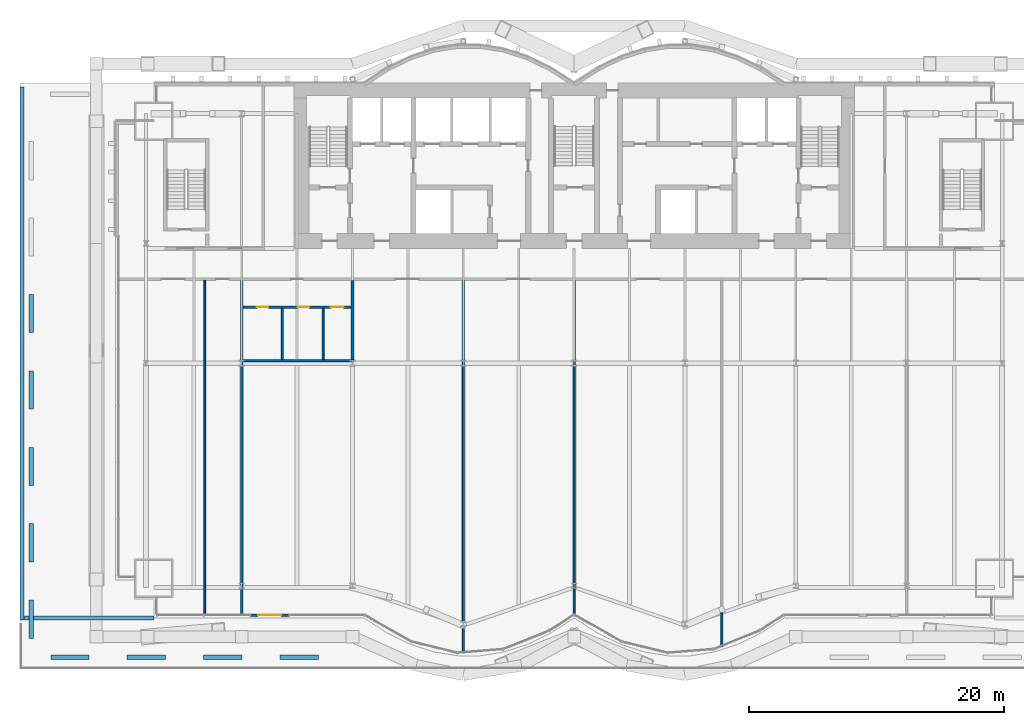
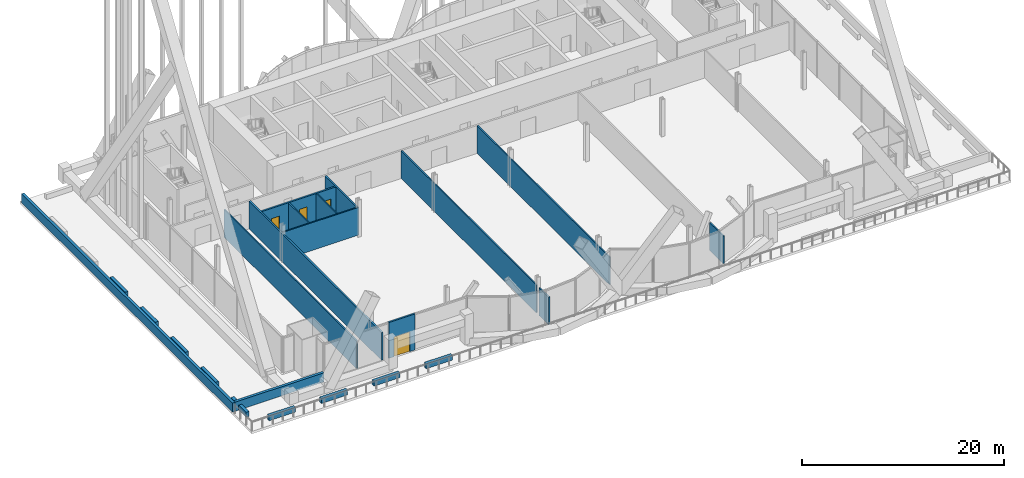
# One storey, part 22 of 29: 23 walls, 4 doors, 4 openings.
"""IFC4 building model written with IfcOpenShell, lengths in metres."""

from ifc_helpers import new_model, si_unit, direction, frame, frame_2d, origin, place, context, subcontext, project, spatial, rectangle, extrude, material, layer, layer_set, layer_usage, type_object, element, fill, save


model = new_model("IFC4")

# Units and contexts
model_context = context("Model", 3, precision=1e-05, world=origin(), true_north=direction((0.0, 1.0)))
body_context = subcontext(model_context, "Body", "Model", "MODEL_VIEW")
ifc_project = project(units=[si_unit("LENGTHUNIT", "METRE"), si_unit("AREAUNIT", "SQUARE_METRE"), si_unit("VOLUMEUNIT", "CUBIC_METRE"), si_unit("PLANEANGLEUNIT", "RADIAN"), si_unit("MASSUNIT", "GRAM", prefix="KILO")], contexts=[model_context])

# Site, building, storey
site_placement = place(None, origin())
site = spatial("IfcSite", under=ifc_project, at=site_placement, CompositionType="ELEMENT")
building_placement = place(site_placement, origin())
building = spatial("IfcBuilding", under=site, at=building_placement, Name="Bicima Exchange Tower", CompositionType="ELEMENT")
storey_placement = place(building_placement, frame((0.0, 0.0, 35.0)))
storey = spatial("IfcBuildingStorey", under=building, at=storey_placement, Name="L06", CompositionType="ELEMENT", Elevation=35.0)

# Wall, opening, door
ifc_material_1 = material(Name="Concrete C40/50", Category="concrete")
ifc_layer_1 = layer(ifc_material_1, 0.2)
ifc_layer_set_1 = layer_set([ifc_layer_1], Name="Concrete C40/50")
ifc_layer_usage_1 = layer_usage(ifc_layer_set_1, "AXIS2", "POSITIVE", -0.1)
wall_type_1 = type_object("IfcWallType", Name="Entrance frame wall 200", PredefinedType="STANDARD", material=ifc_layer_set_1)
wall_1_placement = place(storey_placement, frame((-22.39990234375, -41.77001953125, 0.0), z_axis=(0.0, 0.0, 1.0), x_axis=(-1.0, 0.0, 0.0)))
wall_1 = element("IfcWall", 1, at=wall_1_placement, inside=storey, type_object=wall_type_1, material=ifc_layer_usage_1, Name="Roof terrace door frame wall L06", PredefinedType="STANDARD", context=body_context, shape_type="SweptSolid", body=[
    extrude(rectangle(XDim=3.0, YDim=0.199951171875, at=frame_2d((1.5, 0.0))), origin(), (0.0, 0.0, 1.0), 4.35009765625),
])
opening_1_placement = place(wall_1_placement, frame((0.60009765625, 0.0, 0.0)))
opening_1 = element("IfcOpeningElement", 2, at=opening_1_placement, cuts=wall_1, Name="Opening DX4", PredefinedType="OPENING", context=body_context, shape_type="SweptSolid", body=[
    extrude(rectangle(XDim=1.800048828125, YDim=2.39990234375, at=frame_2d((0.89990234375, 1.199951171875))), frame((0.0, 0.11181640625, 0.0), z_axis=(0.0, -1.0, 0.0), x_axis=(1.0, 0.0, 0.0)), (0.0, 0.0, 1.0), 0.223876953125),
])
ifc_material_2 = material(Name="Anodised bronze aluminium and bonded safety glass", Category="aluminium")
door_type_1 = type_object("IfcDoorType", Name="Roof terrace door, double leaf 1800 x 2400", OperationType="DOUBLE_DOOR_DOUBLE_SWING", PredefinedType="DOOR", material=ifc_material_2)
door_1_placement = place(opening_1_placement, origin())
door_1 = element("IfcDoor", 3, at=door_1_placement, inside=storey, type_object=door_type_1, Name="Roof terrace door door L06", OperationType="SINGLE_SWING_LEFT", OverallHeight=2.39990234375, OverallWidth=1.800048828125, PredefinedType="DOOR", context=body_context, shape_type="SweptSolid", body=[
    extrude(rectangle(XDim=1.800048828125, YDim=2.39990234375, at=frame_2d((0.89990234375, 1.199951171875))), frame((0.0, 0.02490234375, 0.0), z_axis=(0.0, -1.0, 0.0), x_axis=(1.0, 0.0, 0.0)), (0.0, 0.0, 1.0), 0.050048828125),
])
fill(opening_1, door_1)

# Wall, openings, doors
ifc_material_3 = material(Name="Gypsum board partition")
ifc_layer_2 = layer(ifc_material_3, 0.199951171875)
ifc_layer_set_2 = layer_set([ifc_layer_2], Name="Gypsum board partition")
wall_type_2 = type_object("IfcWallType", Name="Fire-rated gypsum partition 200 EI60", PredefinedType="PARTITIONING", material=ifc_layer_set_2)
wall_2_placement = place(storey_placement, frame((-26.0, -17.60009765625, 0.0), z_axis=(0.0, 0.0, 1.0), x_axis=(1.0, 0.0, 0.0)))
wall_2 = element("IfcWall", 4, at=wall_2_placement, inside=storey, type_object=wall_type_2, Name="partition wall 2", PredefinedType="PARTITIONING", context=body_context, shape_type="SweptSolid", body=[
    extrude(rectangle(XDim=8.5, YDim=0.199951171875, at=frame_2d((4.25, 0.0))), origin(), (0.0, 0.0, 1.0), 3.359619140625),
])
opening_2_placement = place(wall_2_placement, frame((1.10009765625, 0.0, 0.0)))
opening_2 = element("IfcOpeningElement", 5, at=opening_2_placement, cuts=wall_2, Name="Opening L06-010", PredefinedType="OPENING", context=body_context, shape_type="SweptSolid", body=[
    extrude(rectangle(XDim=0.89990234375, YDim=2.10009765625, at=frame_2d((0.449951171875, 1.050048828125))), frame((0.0, 0.11181640625, 0.0), z_axis=(0.0, -1.0, 0.0), x_axis=(1.0, 0.0, 0.0)), (0.0, 0.0, 1.0), 0.223876953125),
])
opening_3_placement = place(wall_2_placement, frame((4.300048828125, 0.0, 0.0)))
opening_3 = element("IfcOpeningElement", 6, at=opening_3_placement, cuts=wall_2, Name="Opening L06-011", PredefinedType="OPENING", context=body_context, shape_type="SweptSolid", body=[
    extrude(rectangle(XDim=0.89990234375, YDim=2.10009765625, at=frame_2d((0.449951171875, 1.050048828125))), frame((0.0, 0.11181640625, 0.0), z_axis=(0.0, -1.0, 0.0), x_axis=(1.0, 0.0, 0.0)), (0.0, 0.0, 1.0), 0.223876953125),
])
opening_4_placement = place(wall_2_placement, frame((6.89990234375, 0.0, 0.0)))
opening_4 = element("IfcOpeningElement", 7, at=opening_4_placement, cuts=wall_2, Name="Opening L06-012", PredefinedType="OPENING", context=body_context, shape_type="SweptSolid", body=[
    extrude(rectangle(XDim=1.0, YDim=2.10009765625, at=frame_2d((0.5, 1.050048828125))), frame((0.0, 0.11181640625, 0.0), z_axis=(0.0, -1.0, 0.0), x_axis=(1.0, 0.0, 0.0)), (0.0, 0.0, 1.0), 0.223876953125),
])
ifc_material_4 = material(Name="Steel fire door leaf", Category="steel")
door_type_2 = type_object("IfcDoorType", Name="Door 1000 swing FD30S", OperationType="SINGLE_SWING_LEFT", PredefinedType="DOOR", material=ifc_material_4)
door_2_placement = place(opening_4_placement, frame((1.0, 0.0, 0.0), z_axis=(0.0, 0.0, 1.0), x_axis=(-1.0, 0.0, 0.0)))
door_2 = element("IfcDoor", 8, at=door_2_placement, inside=storey, type_object=door_type_2, Name="Door", OperationType="SINGLE_SWING_RIGHT", OverallHeight=2.10009765625, OverallWidth=1.0, PredefinedType="DOOR", context=body_context, shape_type="SweptSolid", body=[
    extrude(rectangle(XDim=1.0, YDim=2.10009765625, at=frame_2d((0.5, 1.050048828125))), frame((0.0, 0.02490234375, 0.0), z_axis=(0.0, -1.0, 0.0), x_axis=(1.0, 0.0, 0.0)), (0.0, 0.0, 1.0), 0.050048828125),
])
fill(opening_4, door_2)
door_type_3 = type_object("IfcDoorType", Name="Door 900 swing FD30S", OperationType="SINGLE_SWING_LEFT", PredefinedType="DOOR", material=ifc_material_4)
door_3_placement = place(opening_2_placement, frame((0.89990234375, 0.0, 0.0), z_axis=(0.0, 0.0, 1.0), x_axis=(-1.0, 0.0, 0.0)))
door_3 = element("IfcDoor", 9, at=door_3_placement, inside=storey, type_object=door_type_3, Name="Door", OperationType="SINGLE_SWING_LEFT", OverallHeight=2.10009765625, OverallWidth=0.89990234375, PredefinedType="DOOR", context=body_context, shape_type="SweptSolid", body=[
    extrude(rectangle(XDim=0.89990234375, YDim=2.10009765625, at=frame_2d((0.449951171875, 1.050048828125))), frame((0.0, 0.02490234375, 0.0), z_axis=(0.0, -1.0, 0.0), x_axis=(1.0, 0.0, 0.0)), (0.0, 0.0, 1.0), 0.050048828125),
])
fill(opening_2, door_3)
door_4_placement = place(opening_3_placement, frame((0.89990234375, 0.0, 0.0), z_axis=(0.0, 0.0, 1.0), x_axis=(-1.0, 0.0, 0.0)))
door_4 = element("IfcDoor", 10, at=door_4_placement, inside=storey, type_object=door_type_3, Name="Door", OperationType="SINGLE_SWING_RIGHT", OverallHeight=2.10009765625, OverallWidth=0.89990234375, PredefinedType="DOOR", context=body_context, shape_type="SweptSolid", body=[
    extrude(rectangle(XDim=0.89990234375, YDim=2.10009765625, at=frame_2d((0.449951171875, 1.050048828125))), frame((0.0, 0.02490234375, 0.0), z_axis=(0.0, -1.0, 0.0), x_axis=(1.0, 0.0, 0.0)), (0.0, 0.0, 1.0), 0.050048828125),
])
fill(opening_3, door_4)

# Walls
wall_3_placement = place(storey_placement, frame((-26.10009765625, -41.7900390625, 0.0), z_axis=(0.0, 0.0, 1.0), x_axis=(0.0, 1.0, 0.0)))
element("IfcWall", 11, at=wall_3_placement, inside=storey, type_object=wall_type_2, Name="partition wall 15", PredefinedType="PARTITIONING", context=body_context, shape_type="SweptSolid", body=[
    extrude(rectangle(XDim=26.2900390625, YDim=0.199951171875, at=frame_2d((13.14501953125, 0.0))), origin(), (0.0, 0.0, 1.0), 3.359619140625),
])
wall_4_placement = place(storey_placement, frame((-17.39990234375, -21.72509765625, 0.0), z_axis=(0.0, 0.0, 1.0), x_axis=(0.0, 1.0, 0.0)))
element("IfcWall", 12, at=wall_4_placement, inside=storey, type_object=wall_type_2, Name="partition wall 19", PredefinedType="PARTITIONING", context=body_context, shape_type="SweptSolid", body=[
    extrude(rectangle(XDim=6.22509765625, YDim=0.199951171875, at=frame_2d((3.112548828125, 0.0))), origin(), (0.0, 0.0, 1.0), 3.359619140625),
])
ifc_layer_3 = layer(ifc_material_3, 0.14990234375)
ifc_layer_set_3 = layer_set([ifc_layer_3], Name="Gypsum board partition")
wall_type_3 = type_object("IfcWallType", Name="Gypsum partition 150", PredefinedType="PARTITIONING", material=ifc_layer_set_3)
wall_5_placement = place(storey_placement, frame((-26.0, -21.800048828125, 0.0), z_axis=(0.0, 0.0, 1.0), x_axis=(1.0, 0.0, 0.0)))
element("IfcWall", 13, at=wall_5_placement, inside=storey, type_object=wall_type_3, Name="partition wall 1", PredefinedType="PARTITIONING", context=body_context, shape_type="SweptSolid", body=[
    extrude(rectangle(XDim=8.699951171875, YDim=0.14990234375, at=frame_2d((4.35009765625, 0.0))), origin(), (0.0, 0.0, 1.0), 3.359619140625),
])
wall_6_placement = place(storey_placement, frame((-29.0, -41.7900390625, 0.0), z_axis=(0.0, 0.0, 1.0), x_axis=(0.0, 1.0, 0.0)))
element("IfcWall", 14, at=wall_6_placement, inside=storey, type_object=wall_type_3, Name="partition wall 13", PredefinedType="PARTITIONING", context=body_context, shape_type="SweptSolid", body=[
    extrude(rectangle(XDim=26.2900390625, YDim=0.14990234375, at=frame_2d((13.14501953125, 0.0))), origin(), (0.0, 0.0, 1.0), 3.359619140625),
])
for number, where, z_axis, x_axis, name in (
    (15, (-22.89990234375, -21.72509765625, 0.0), (0.0, 0.0, 1.0), (0.0, 1.0, 0.0), "partition wall 17"),
    (16, (-19.699951171875, -21.72509765625, 0.0), (0.0, 0.0, 1.0), (0.0, 1.0, 0.0), "partition wall 18"),
):
    element("IfcWall", number, at=place(storey_placement, frame(where, z_axis=z_axis, x_axis=x_axis)), inside=storey, type_object=wall_type_3, Name=name, PredefinedType="PARTITIONING", context=body_context, shape_type="SweptSolid", body=[
        extrude(rectangle(XDim=4.025146484375, YDim=0.14990234375, at=frame_2d((2.0126953125, 0.0))), origin(), (0.0, 0.0, 1.0), 3.359619140625),
    ])
wall_7_placement = place(storey_placement, frame((-8.699951171875, -44.75, 0.0), z_axis=(0.0, 0.0, 1.0), x_axis=(0.0, 1.0, 0.0)))
element("IfcWall", 17, at=wall_7_placement, inside=storey, type_object=wall_type_3, Name="partition wall 20", PredefinedType="PARTITIONING", context=body_context, shape_type="SweptSolid", body=[
    extrude(rectangle(XDim=1.9130859375, YDim=0.14990234375, at=frame_2d((0.95654296875, 0.0))), origin(), (0.0, 0.0, 1.0), 3.359619140625),
])
wall_8_placement = place(storey_placement, frame((-8.699951171875, -42.34521484375, 0.0), z_axis=(0.0, 0.0, 1.0), x_axis=(0.0, 1.0, 0.0)))
element("IfcWall", 18, at=wall_8_placement, inside=storey, type_object=wall_type_3, Name="partition wall 21", PredefinedType="PARTITIONING", context=body_context, shape_type="SweptSolid", body=[
    extrude(rectangle(XDim=26.84521484375, YDim=0.14990234375, at=frame_2d((13.422607421875, 0.0))), origin(), (0.0, 0.0, 1.0), 3.359619140625),
])
wall_9_placement = place(storey_placement, frame((0.0, -41.75, 0.0), z_axis=(0.0, 0.0, 1.0), x_axis=(0.0, 1.0, 0.0)))
element("IfcWall", 19, at=wall_9_placement, inside=storey, type_object=wall_type_3, Name="partition wall 22", PredefinedType="PARTITIONING", context=body_context, shape_type="SweptSolid", body=[
    extrude(rectangle(XDim=26.25, YDim=0.14990234375, at=frame_2d((13.125, 0.0))), origin(), (0.0, 0.0, 1.0), 3.359619140625),
])
wall_10_placement = place(storey_placement, frame((11.60009765625, -44.25, 0.0), z_axis=(0.0, 0.0, 1.0), x_axis=(0.0, 1.0, 0.0)))
element("IfcWall", 20, at=wall_10_placement, inside=storey, type_object=wall_type_3, Name="partition wall 23", PredefinedType="PARTITIONING", context=body_context, shape_type="SweptSolid", body=[
    extrude(rectangle(XDim=2.654296875, YDim=0.14990234375, at=frame_2d((1.3271484375, 0.0))), origin(), (0.0, 0.0, 1.0), 3.359619140625),
])
ifc_material_5 = material(Name="Concrete C30/37", Category="concrete")
ifc_layer_4 = layer(ifc_material_5, 0.35)
ifc_layer_set_4 = layer_set([ifc_layer_4], Name="Concrete C30/37")
ifc_layer_usage_2 = layer_usage(ifc_layer_set_4, "AXIS2", "POSITIVE", -0.175)
wall_type_4 = type_object("IfcWallType", Name="PLANTER box 350 x 3000", PredefinedType="USERDEFINED", material=ifc_layer_set_4)
for number, where, z_axis, x_axis, name in (
    (21, (-20.085693359375, -45.10009765625, 0.0), (0.0, 0.0, 1.0), (-1.0, 0.0, 0.0), "Podium roof planter 1"),
    (22, (-26.085693359375, -45.10009765625, 0.0), (0.0, 0.0, 1.0), (-1.0, 0.0, 0.0), "Podium roof planter 2"),
    (23, (-32.085693359375, -45.10009765625, 0.0), (0.0, 0.0, 1.0), (-1.0, 0.0, 0.0), "Podium roof planter 3"),
    (24, (-38.085693359375, -45.10009765625, 0.0), (0.0, 0.0, 1.0), (-1.0, 0.0, 0.0), "Podium roof planter 4"),
    (25, (-42.60009765625, -43.60009765625, 0.0), (0.0, 0.0, 1.0), (0.0, 1.0, 0.0), "Podium roof planter 5"),
    (26, (-42.60009765625, -37.60009765625, 0.0), (0.0, 0.0, 1.0), (0.0, 1.0, 0.0), "Podium roof planter 6"),
    (27, (-42.60009765625, -31.60009765625, 0.0), (0.0, 0.0, 1.0), (0.0, 1.0, 0.0), "Podium roof planter 7"),
    (28, (-42.60009765625, -25.60009765625, 0.0), (0.0, 0.0, 1.0), (0.0, 1.0, 0.0), "Podium roof planter 8"),
    (29, (-42.60009765625, -19.60009765625, 0.0), (0.0, 0.0, 1.0), (0.0, 1.0, 0.0), "Podium roof planter 9"),
):
    element("IfcWall", number, at=place(storey_placement, frame(where, z_axis=z_axis, x_axis=x_axis)), inside=storey, type_object=wall_type_4, material=ifc_layer_usage_2, Name=name, ObjectType="PLANTER", PredefinedType="USERDEFINED", context=body_context, shape_type="SweptSolid", body=[
        extrude(rectangle(XDim=3.0, YDim=0.35009765625, at=frame_2d((1.5, 0.0))), origin(), (0.0, 0.0, 1.0), 0.60009765625),
    ])
ifc_layer_5 = layer(ifc_material_1, 0.3)
ifc_layer_set_5 = layer_set([ifc_layer_5], Name="Concrete C40/50")
ifc_layer_usage_3 = layer_usage(ifc_layer_set_5, "AXIS2", "POSITIVE", -0.15)
wall_type_5 = type_object("IfcWallType", Name="Roof garden parapet 300", PredefinedType="PARAPET", material=ifc_layer_set_5)
wall_11_placement = place(storey_placement, frame((-43.35009765625, -42.14990234375, 0.0), z_axis=(0.0, 0.0, 1.0), x_axis=(0.0, 1.0, 0.0)))
element("IfcWall", 30, at=wall_11_placement, inside=storey, type_object=wall_type_5, material=ifc_layer_usage_3, Name="Roof garden parapet west outer", PredefinedType="PARAPET", context=body_context, shape_type="SweptSolid", body=[
    extrude(rectangle(XDim=41.849853515625, YDim=0.300048828125, at=frame_2d((20.9248046875, 0.0))), origin(), (0.0, 0.0, 1.0), 1.10009765625),
])
wall_12_placement = place(storey_placement, frame((-43.199951171875, -42.0, 0.0), z_axis=(0.0, 0.0, 1.0), x_axis=(1.0, 0.0, 0.0)))
element("IfcWall", 31, at=wall_12_placement, inside=storey, type_object=wall_type_5, material=ifc_layer_usage_3, Name="Roof garden parapet west front", PredefinedType="PARAPET", context=body_context, shape_type="SweptSolid", body=[
    extrude(rectangle(XDim=10.199951171875, YDim=0.300048828125, at=frame_2d((5.10009765625, 0.0))), origin(), (0.0, 0.0, 1.0), 1.10009765625),
])

save(model, "model.ifc")
